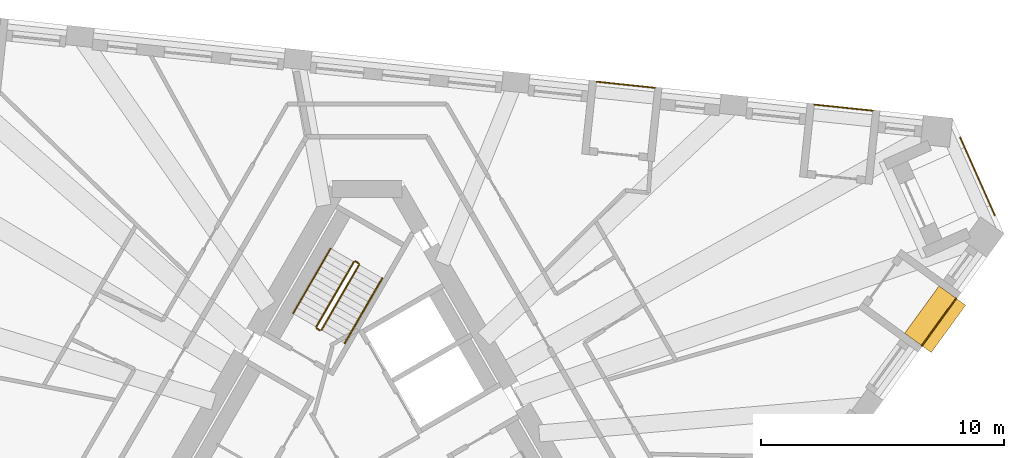
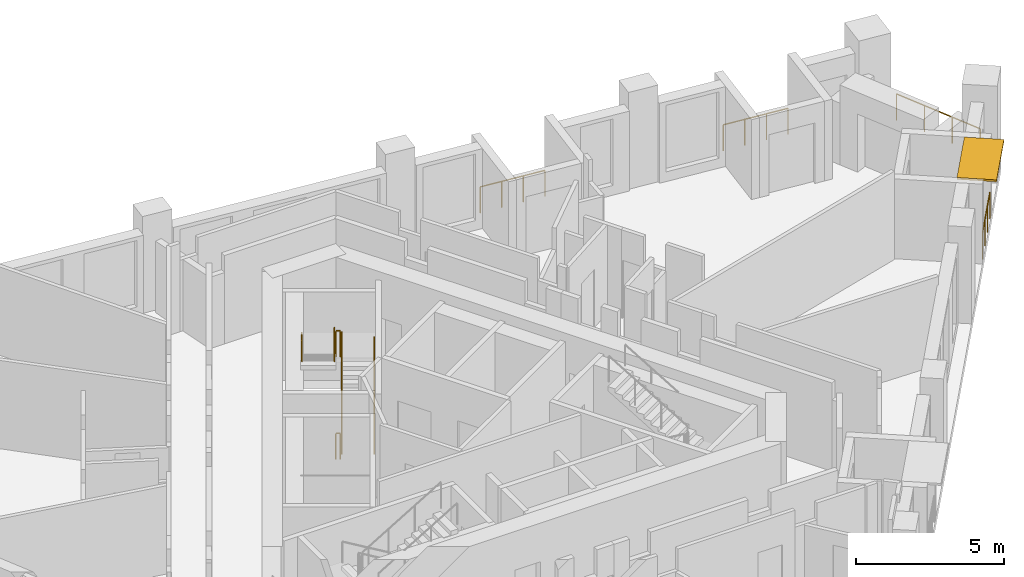
# One storey, part 11 of 11: 10 railings, 1 shading device.
"""IFC4 building model written with IfcOpenShell, lengths in metres."""

from ifc_helpers import new_model, si_unit, direction, frame, origin, origin_2d, place, context, subcontext, project, spatial, rectangle, circle, extrude, material, layer, layer_set, type_object, element, save


model = new_model("IFC4")

# Units and contexts
model_context = context("Model", 3, precision=1e-05, world=origin(), true_north=direction((0.0, 1.0)))
body_context = subcontext(model_context, "Body", "Model", "MODEL_VIEW")
ifc_project = project(units=[si_unit("LENGTHUNIT", "METRE"), si_unit("AREAUNIT", "SQUARE_METRE"), si_unit("VOLUMEUNIT", "CUBIC_METRE"), si_unit("PLANEANGLEUNIT", "RADIAN"), si_unit("MASSUNIT", "GRAM", prefix="KILO")], contexts=[model_context])

# Site, building, storey
site_placement = place(None, origin())
site = spatial("IfcSite", under=ifc_project, at=site_placement, CompositionType="ELEMENT")
building_placement = place(site_placement, origin())
building = spatial("IfcBuilding", under=site, at=building_placement, Name="Tramontana Tower", CompositionType="ELEMENT")
storey_placement = place(building_placement, frame((0.0, 0.0, 257.199951171875)))
storey = spatial("IfcBuildingStorey", under=building, at=storey_placement, Name="L60", CompositionType="ELEMENT", Elevation=257.199951171875)

# Railings
ifc_material_1 = material(Name="Laminated glass balustrade", Category="glass")
railing_type_1 = type_object("IfcRailingType", Name="GD1 Loggia glass balustrade 1100", PredefinedType="BALUSTRADE", material=ifc_material_1)
railing_1_placement = place(storey_placement, frame((22.802001953125, 4.21435546875, 0.0)))
element("IfcRailing", 1, at=railing_1_placement, inside=storey, type_object=railing_type_1, Name="Loggia balustrade L60 G6S1.13", PredefinedType="BALUSTRADE", context=body_context, shape_type="SweptSolid", body=[
    extrude(circle(Radius=0.02392578125, at=origin_2d()), frame((0.0, 0.0, 1.076171875), z_axis=(0.587718396543, 0.8090655637, 0.0), x_axis=(-0.8090655637, 0.587718396543, 0.0)), (0.0, 0.0, 1.0), 2.40234375),
    extrude(circle(Radius=0.02099609375, at=origin_2d()), origin(), (0.0, 0.0, 1.0), 1.052001953125),
    extrude(circle(Radius=0.02099609375, at=origin_2d()), frame((0.470703125, 0.64794921875, 0.0)), (0.0, 0.0, 1.0), 1.052001953125),
    extrude(circle(Radius=0.02099609375, at=origin_2d()), frame((0.941162109375, 1.295654296875, 0.0)), (0.0, 0.0, 1.0), 1.052001953125),
    extrude(circle(Radius=0.02099609375, at=origin_2d()), frame((1.411865234375, 1.943603515625, 0.0)), (0.0, 0.0, 1.0), 1.052001953125),
])
for number, where, name in (
    (2, (20.778564453125, 13.8740234375, 0.0), "Loggia balustrade L60 G6S2.1"),
    (3, (11.8212890625, 14.8154296875, 0.0), "Loggia balustrade L60 G6S2.4"),
):
    element("IfcRailing", number, at=place(storey_placement, frame(where)), inside=storey, type_object=railing_type_1, Name=name, PredefinedType="BALUSTRADE", context=body_context, shape_type="SweptSolid", body=[
        extrude(circle(Radius=0.02392578125, at=origin_2d()), frame((0.0, 0.0, 1.076171875), z_axis=(-0.994517140727, 0.104573690763, 0.0), x_axis=(-0.104573690763, -0.994517140727, 0.0)), (0.0, 0.0, 1.0), 2.40234375),
        extrude(circle(Radius=0.02099609375, at=origin_2d()), origin(), (0.0, 0.0, 1.0), 1.052001953125),
        extrude(circle(Radius=0.02099609375, at=origin_2d()), frame((-0.79638671875, 0.083740234375, 0.0)), (0.0, 0.0, 1.0), 1.052001953125),
        extrude(circle(Radius=0.02099609375, at=origin_2d()), frame((-1.5927734375, 0.16748046875, 0.0)), (0.0, 0.0, 1.0), 1.052001953125),
        extrude(circle(Radius=0.02099609375, at=origin_2d()), frame((-2.38916015625, 0.251220703125, 0.0)), (0.0, 0.0, 1.0), 1.052001953125),
    ])
railing_2_placement = place(storey_placement, frame((24.38330078125, 12.771728515625, 0.0)))
element("IfcRailing", 4, at=railing_2_placement, inside=storey, type_object=railing_type_1, Name="Corner loggia balustrade L60 K62", PredefinedType="BALUSTRADE", context=body_context, shape_type="SweptSolid", body=[
    extrude(circle(Radius=0.02392578125, at=origin_2d()), frame((0.0, 0.0, 1.076171875), z_axis=(0.406753242783, -0.913538066796, 0.0), x_axis=(0.913538066796, 0.406753242783, 0.0)), (0.0, 0.0, 1.0), 3.499755859375),
    extrude(circle(Radius=0.02099609375, at=origin_2d()), origin(), (0.0, 0.0, 1.0), 1.052001953125),
    extrude(circle(Radius=0.02099609375, at=origin_2d()), frame((0.474609375, -1.065673828125, 0.0)), (0.0, 0.0, 1.0), 1.052001953125),
    extrude(circle(Radius=0.02099609375, at=origin_2d()), frame((0.948974609375, -2.131591796875, 0.0)), (0.0, 0.0, 1.0), 1.052001953125),
    extrude(circle(Radius=0.02099609375, at=origin_2d()), frame((1.423583984375, -3.197265625, 0.0)), (0.0, 0.0, 1.0), 1.052001953125),
])

# Shading device
ifc_material_2 = material(Name="Precast concrete 60 MPa", Category="concrete")
ifc_layer = layer(ifc_material_2, 0.080078125)
ifc_layer_set = layer_set([ifc_layer], Name="SS3 Stone sunshade blade 80")
shading_device_type = type_object("IfcShadingDeviceType", Name="SS3 Stone sunshade blade 80", PredefinedType="USERDEFINED", material=ifc_layer_set)
shading_device_placement = place(storey_placement, frame((23.35009765625, 5.30078125, 3.219970703125), z_axis=(0.0, 0.0, 1.0), x_axis=(0.587785252292, 0.809016994375, 0.0)))
element("IfcShadingDevice", 5, at=shading_device_placement, inside=storey, type_object=shading_device_type, Name="Sunshade L60 G6S1.13", ObjectType="SUNSHADE", PredefinedType="USERDEFINED", context=body_context, shape_type="SweptSolid", body=[
    extrude(rectangle(XDim=2.402099609375, YDim=1.35009765625, at=origin_2d()), origin(), (0.0, 0.0, 1.0), 0.080078125),
])

# Railings
ifc_material_3 = material(Name="Painted steel", Category="steel")
railing_type_2 = type_object("IfcRailingType", Name="STAIR GUARD 1100", PredefinedType="GUARDRAIL", material=ifc_material_3)
railing_3_placement = place(storey_placement, frame((-1.867431640625, 4.865478515625, 0.166748046875)))
element("IfcRailing", 6, at=railing_3_placement, inside=storey, type_object=railing_type_2, Name="L60 ST1 stair guard 1", PredefinedType="GUARDRAIL", context=body_context, shape_type="SweptSolid", body=[
    extrude(circle(Radius=0.02392578125, at=origin_2d()), frame((0.0, 0.0, 1.076171875), z_axis=(0.429649414936, 0.744189839504, 0.511451721109), x_axis=(-0.866029832698, 0.499992328818, 0.0)), (0.0, 0.0, 1.0), 3.58447265625),
    extrude(circle(Radius=0.02099609375, at=origin_2d()), origin(), (0.0, 0.0, 1.0), 1.052001953125),
    extrude(circle(Radius=0.02099609375, at=origin_2d()), frame((0.513427734375, 0.88916015625, 0.611083984375)), (0.0, 0.0, 1.0), 1.052001953125),
    extrude(circle(Radius=0.02099609375, at=origin_2d()), frame((1.026611328125, 1.7783203125, 1.22216796875)), (0.0, 0.0, 1.0), 1.052001953125),
    extrude(circle(Radius=0.02099609375, at=origin_2d()), frame((1.5400390625, 2.66748046875, 1.833251953125)), (0.0, 0.0, 1.0), 1.052001953125),
])
railing_4_placement = place(storey_placement, frame((-0.5439453125, 7.657958984375, 2.166748046875)))
element("IfcRailing", 7, at=railing_4_placement, inside=storey, type_object=railing_type_2, Name="L60 ST1 stair guard 2", PredefinedType="GUARDRAIL", context=body_context, shape_type="SweptSolid", body=[
    extrude(circle(Radius=0.02392578125, at=origin_2d()), frame((0.0, 0.0, 1.076171875), z_axis=(-0.429649414936, -0.744189839504, 0.511451721109), x_axis=(0.866029832698, -0.499992328818, 0.0)), (0.0, 0.0, 1.0), 3.58447265625),
    extrude(circle(Radius=0.02099609375, at=origin_2d()), origin(), (0.0, 0.0, 1.0), 1.052001953125),
    extrude(circle(Radius=0.02099609375, at=origin_2d()), frame((-0.513427734375, -0.88916015625, 0.611083984375)), (0.0, 0.0, 1.0), 1.052001953125),
    extrude(circle(Radius=0.02099609375, at=origin_2d()), frame((-1.026611328125, -1.7783203125, 1.22216796875)), (0.0, 0.0, 1.0), 1.052001953125),
    extrude(circle(Radius=0.02099609375, at=origin_2d()), frame((-1.5400390625, -2.66748046875, 1.833251953125)), (0.0, 0.0, 1.0), 1.052001953125),
])
railing_5_placement = place(storey_placement, frame((-0.345703125, 7.601318359375, 2.0)))
element("IfcRailing", 8, at=railing_5_placement, inside=storey, type_object=railing_type_2, Name="L60 ST1 stair guard 3", PredefinedType="GUARDRAIL", context=body_context, shape_type="SweptSolid", body=[
    extrude(circle(Radius=0.02392578125, at=origin_2d()), frame((0.0, 0.0, 1.076171875), z_axis=(-0.866131372301, 0.499816412211, 0.0), x_axis=(-0.499816412211, -0.866131372301, 0.0)), (0.0, 0.0, 1.0), 0.14990234375),
    extrude(circle(Radius=0.02099609375, at=origin_2d()), origin(), (0.0, 0.0, 1.0), 1.052001953125),
    extrude(circle(Radius=0.02099609375, at=origin_2d()), frame((-0.1298828125, 0.074951171875, 0.0)), (0.0, 0.0, 1.0), 1.052001953125),
])
railing_6_placement = place(storey_placement, frame((-1.935791015625, 4.84716796875, 0.0)))
element("IfcRailing", 9, at=railing_6_placement, inside=storey, type_object=railing_type_2, Name="L60 ST1 stair guard 4", PredefinedType="GUARDRAIL", context=body_context, shape_type="SweptSolid", body=[
    extrude(circle(Radius=0.02392578125, at=origin_2d()), frame((0.0, 0.0, 1.076171875), z_axis=(-0.865426285481, 0.501036270542, 0.0), x_axis=(-0.501036270542, -0.865426285481, 0.0)), (0.0, 0.0, 1.0), 0.150146484375),
    extrude(circle(Radius=0.02099609375, at=origin_2d()), origin(), (0.0, 0.0, 1.0), 1.052001953125),
    extrude(circle(Radius=0.02099609375, at=origin_2d()), frame((-0.1298828125, 0.0751953125, 0.0)), (0.0, 0.0, 1.0), 1.052001953125),
])
ifc_material_4 = material(Name="Painted steel", Category="steel")
railing_type_3 = type_object("IfcRailingType", Name="STAIR HANDRAIL 900", PredefinedType="HANDRAIL", material=ifc_material_4)
railing_7_placement = place(storey_placement, frame((-0.914794921875, 4.315673828125, 0.166748046875)))
element("IfcRailing", 10, at=railing_7_placement, inside=storey, type_object=railing_type_3, Name="L60 ST1 stair handrail 1", PredefinedType="HANDRAIL", context=body_context, shape_type="SweptSolid", body=[
    extrude(circle(Radius=0.02392578125, at=origin_2d()), frame((0.0, 0.0, 0.8759765625), z_axis=(0.429671193721, 0.744159446956, 0.511477646425), x_axis=(-0.866010015463, 0.500026652407, 0.0)), (0.0, 0.0, 1.0), 3.584228515625),
    extrude(circle(Radius=0.02099609375, at=origin_2d()), origin(), (0.0, 0.0, 1.0), 0.851806640625),
    extrude(circle(Radius=0.02099609375, at=origin_2d()), frame((0.513427734375, 0.88916015625, 0.611083984375)), (0.0, 0.0, 1.0), 0.851806640625),
    extrude(circle(Radius=0.02099609375, at=origin_2d()), frame((1.026611328125, 1.778076171875, 1.22216796875)), (0.0, 0.0, 1.0), 0.851806640625),
    extrude(circle(Radius=0.02099609375, at=origin_2d()), frame((1.5400390625, 2.667236328125, 1.833251953125)), (0.0, 0.0, 1.0), 0.851806640625),
])
railing_8_placement = place(storey_placement, frame((-1.49658203125, 8.2080078125, 2.166748046875)))
element("IfcRailing", 11, at=railing_8_placement, inside=storey, type_object=railing_type_3, Name="L60 ST1 stair handrail 2", PredefinedType="HANDRAIL", context=body_context, shape_type="SweptSolid", body=[
    extrude(circle(Radius=0.02392578125, at=origin_2d()), frame((0.0, 0.0, 0.8759765625), z_axis=(-0.429649414936, -0.744189839504, 0.511451721109), x_axis=(0.866029832698, -0.499992328818, 0.0)), (0.0, 0.0, 1.0), 3.58447265625),
    extrude(circle(Radius=0.02099609375, at=origin_2d()), origin(), (0.0, 0.0, 1.0), 0.851806640625),
    extrude(circle(Radius=0.02099609375, at=origin_2d()), frame((-0.513427734375, -0.88916015625, 0.611083984375)), (0.0, 0.0, 1.0), 0.851806640625),
    extrude(circle(Radius=0.02099609375, at=origin_2d()), frame((-1.026611328125, -1.7783203125, 1.22216796875)), (0.0, 0.0, 1.0), 0.851806640625),
    extrude(circle(Radius=0.02099609375, at=origin_2d()), frame((-1.5400390625, -2.66748046875, 1.833251953125)), (0.0, 0.0, 1.0), 0.851806640625),
])

save(model, "model.ifc")
